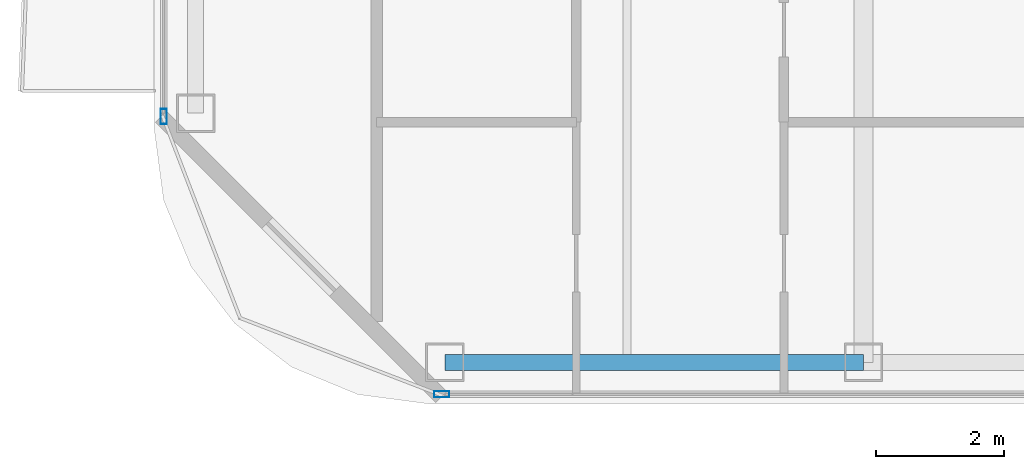
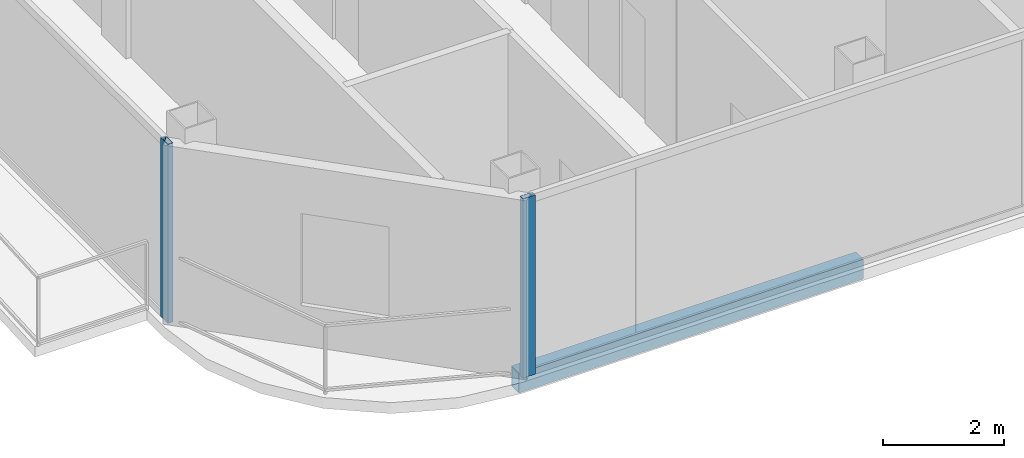
# One storey, part 2 of 27: 2 members, 1 beam, 2 elements without a shape of their own.
"""IFC4 building model written with IfcOpenShell, lengths in metres."""

from ifc_helpers import new_model, si_unit, direction, frame, origin, origin_2d, place, context, subcontext, project, spatial, hollow_rectangle, extrude, material, layer, layer_set, material_profile, profile_set, type_object, element, aggregate, save


model = new_model("IFC4")

# Units and contexts
model_context = context("Model", 3, precision=1e-05, world=origin(), true_north=direction((0.0, 1.0)))
body_context = subcontext(model_context, "Body", "Model", "MODEL_VIEW")
ifc_project = project(units=[si_unit("LENGTHUNIT", "METRE"), si_unit("AREAUNIT", "SQUARE_METRE"), si_unit("VOLUMEUNIT", "CUBIC_METRE"), si_unit("PLANEANGLEUNIT", "RADIAN"), si_unit("MASSUNIT", "GRAM", prefix="KILO")], contexts=[model_context])

# Site, building, storey
site_placement = place(None, origin())
site = spatial("IfcSite", under=ifc_project, at=site_placement, CompositionType="ELEMENT")
building_placement = place(site_placement, origin())
building = spatial("IfcBuilding", under=site, at=building_placement, Name="Khorvyn Point Tower", CompositionType="ELEMENT")
storey_placement = place(building_placement, frame((0.0, 0.0, 231.300048828125)))
storey = spatial("IfcBuildingStorey", under=building, at=storey_placement, Name="L57", CompositionType="ELEMENT", Elevation=231.300048828125)

# Curtain wall, member
ifc_material_1 = material(Name="Anodised aluminium 6063-T6 and laminated Low-E glass", Category="aluminium")
ifc_layer = layer(ifc_material_1, 0.18994140625)
ifc_layer_set = layer_set([ifc_layer], Name="Stick-Built Acoustic Curtain Wall CW-SYS-03")
curtain_wall_type = type_object("IfcCurtainWallType", Name="Stick-Built Acoustic Curtain Wall CW-SYS-03", PredefinedType="NOTDEFINED", material=ifc_layer_set)
curtain_wall_1_placement = place(storey_placement, origin())
curtain_wall_1 = element("IfcCurtainWall", 1, at=curtain_wall_1_placement, inside=storey, type_object=curtain_wall_type, Name="Curtain Wall", PredefinedType="NOTDEFINED")
ifc_material_2 = material(Name="Anodised aluminium 6063-T6", Category="aluminium")
ifc_material_profile_1 = material_profile(ifc_material_2, hollow_rectangle(XDim=0.10009765625, YDim=0.239990234375, WallThickness=0.0048828125, at=origin_2d()))
ifc_profile_set_1 = profile_set([ifc_material_profile_1], Name="Anodised aluminium 6063-T6 ALU-MUL-100x240")
member_type = type_object("IfcMemberType", Name="Anodised Aluminium 6063-T6 Mullion ALU-MUL-100x240", PredefinedType="MULLION", material=ifc_profile_set_1)
member_1_placement = place(storey_placement, frame((-14.0, -28.64990234375, 0.0), z_axis=(0.0, 0.0, 1.0), x_axis=(0.0, -1.0, 0.0)))
member_1 = element("IfcMember", 2, at=member_1_placement, type_object=member_type, Name="Transom", PredefinedType="MULLION", context=body_context, shape_type="SweptSolid", body=[
    extrude(hollow_rectangle(XDim=0.10009765625, YDim=0.239990234375, WallThickness=0.0048828125, at=origin_2d()), origin(), (0.0, 0.0, 1.0), 3.599853515625),
])
aggregate(curtain_wall_1, [member_1])

curtain_wall_2_placement = place(storey_placement, origin())
curtain_wall_2 = element("IfcCurtainWall", 3, at=curtain_wall_2_placement, inside=storey, type_object=curtain_wall_type, Name="Curtain Wall", PredefinedType="NOTDEFINED")
member_2_placement = place(storey_placement, frame((-18.35009765625, -24.300048828125, 0.0), z_axis=(0.0, 0.0, 1.0), x_axis=(-1.0, 0.0, 0.0)))
member_2 = element("IfcMember", 4, at=member_2_placement, type_object=member_type, Name="Transom", PredefinedType="MULLION", context=body_context, shape_type="SweptSolid", body=[
    extrude(hollow_rectangle(XDim=0.10009765625, YDim=0.239990234375, WallThickness=0.0048828125, at=origin_2d()), origin(), (0.0, 0.0, 1.0), 3.599853515625),
])
aggregate(curtain_wall_2, [member_2])

# Beam
ifc_material_3 = material(Name="Steel S355", Category="steel")
ifc_material_profile_2 = material_profile(ifc_material_3, hollow_rectangle(XDim=0.25, YDim=0.39990234375, WallThickness=0.01611328125, at=origin_2d()))
ifc_profile_set_2 = profile_set([ifc_material_profile_2], Name="Steel S355 RHS400x250x16")
beam_type = type_object("IfcBeamType", Name="Steel S355 Spandrel RHS400x250x16", PredefinedType="SPANDREL", material=ifc_profile_set_2)
beam_placement = place(storey_placement, frame((-13.949951171875, -28.14990234375, -0.420166015625), z_axis=(1.0, 0.0, 0.0), x_axis=(0.0, 1.0, 0.0)))
element("IfcBeam", 5, at=beam_placement, inside=storey, type_object=beam_type, Name="Beam", PredefinedType="SPANDREL", context=body_context, shape_type="SweptSolid", body=[
    extrude(hollow_rectangle(XDim=0.25, YDim=0.39990234375, WallThickness=0.01611328125, at=origin_2d()), origin(), (0.0, 0.0, 1.0), 6.550048828125),
])

save(model, "model.ifc")
